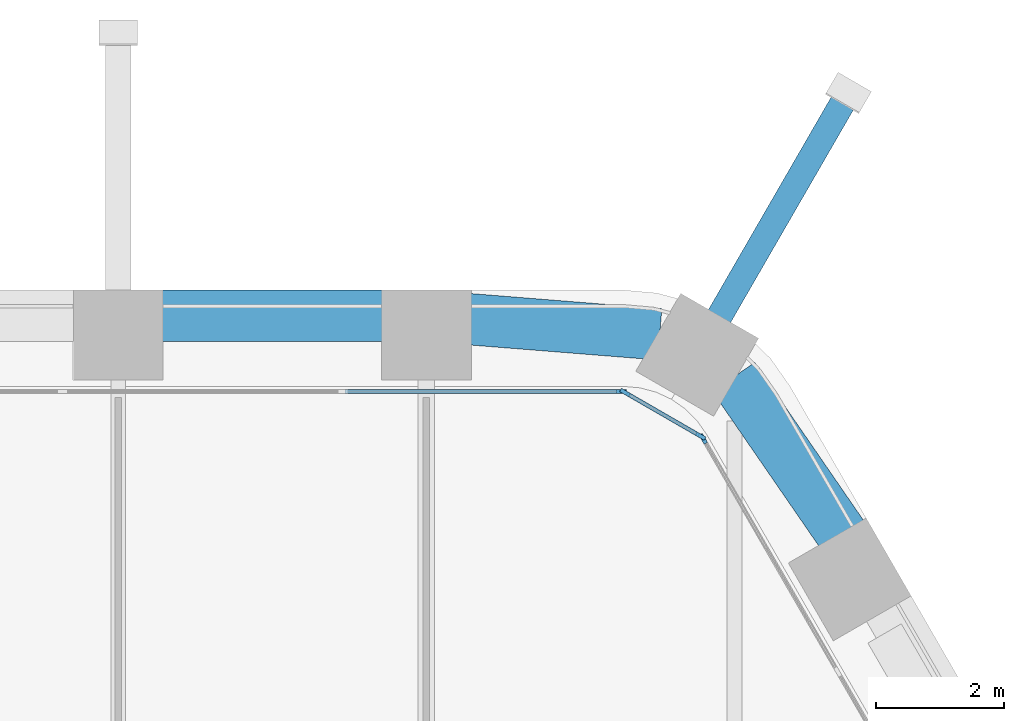
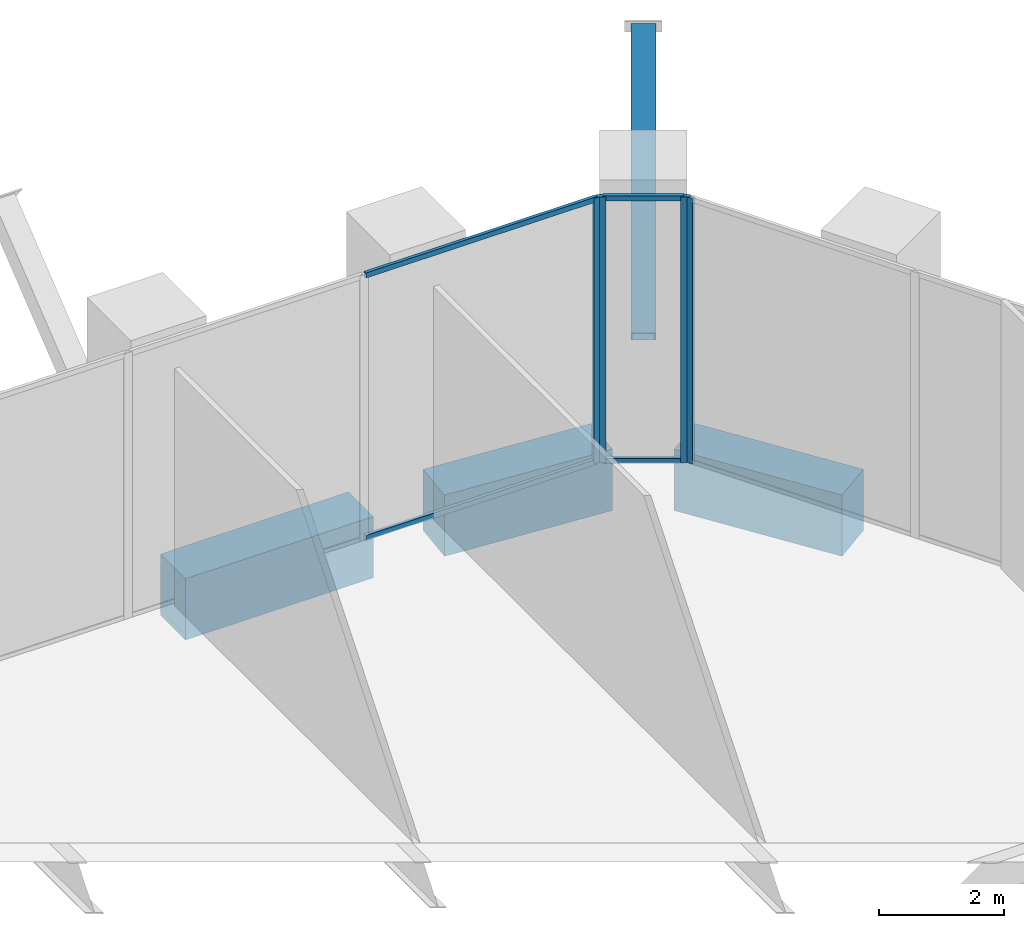
# One storey, part 14 of 29: 9 members, 3 beams, 3 elements without a shape of their own.
"""IFC4 building model written with IfcOpenShell, lengths in metres."""

from ifc_helpers import new_model, si_unit, direction, frame, origin, origin_2d, place, context, subcontext, project, spatial, rectangle, hollow_rectangle, extrude, material, material_profile, profile_set, type_object, element, aggregate, save


model = new_model("IFC4")

# Units and contexts
model_context = context("Model", 3, precision=1e-05, world=origin(), true_north=direction((0.0, 1.0)))
body_context = subcontext(model_context, "Body", "Model", "MODEL_VIEW")
ifc_project = project(units=[si_unit("LENGTHUNIT", "METRE"), si_unit("AREAUNIT", "SQUARE_METRE"), si_unit("VOLUMEUNIT", "CUBIC_METRE"), si_unit("PLANEANGLEUNIT", "RADIAN"), si_unit("MASSUNIT", "GRAM", prefix="KILO")], contexts=[model_context])

# Site, building, storey
site_placement = place(None, origin())
site = spatial("IfcSite", under=ifc_project, at=site_placement, CompositionType="ELEMENT")
building_placement = place(site_placement, origin())
building = spatial("IfcBuilding", under=site, at=building_placement, Name="Kolab Exchange Tower", CompositionType="ELEMENT")
storey_placement = place(building_placement, frame((0.0, 0.0, 33.39990234375)))
storey = spatial("IfcBuildingStorey", under=building, at=storey_placement, Name="L06", CompositionType="ELEMENT", Elevation=33.39990234375)

# Member
ifc_material_1 = material(Name="Steel S355", Category="steel")
ifc_material_profile_1 = material_profile(ifc_material_1, hollow_rectangle(XDim=0.39990234375, YDim=0.39990234375, WallThickness=0.02001953125, at=origin_2d()), Name="HSS400X400X20")
ifc_profile_set_1 = profile_set([ifc_material_profile_1], Name="Steel S355")
member_type_1 = type_object("IfcMemberType", Name="LEDGE STRUT HSS400X400X20", PredefinedType="STRUT", material=ifc_profile_set_1)
member_1_placement = place(storey_placement, frame((18.947998046875, 32.81884765625, 1.22802734375), z_axis=(0.39005913672, 0.675602790468, 0.625631472493), x_axis=(-0.866025579307, 0.499999695987, 0.0)))
element("IfcMember", 1, at=member_1_placement, inside=storey, type_object=member_type_1, Name="mem/L06/ledge/strut-4", PredefinedType="STRUT", context=body_context, shape_type="SweptSolid", body=[
    extrude(hollow_rectangle(XDim=0.39990234375, YDim=0.39990234375, WallThickness=0.02001953125, at=origin_2d()), origin(), (0.0, 0.0, 1.0), 5.1787109375),
])

# Beams
ifc_material_2 = material(Name="Concrete C80/95", Category="concrete")
ifc_material_profile_2 = material_profile(ifc_material_2, rectangle(XDim=0.800048828125, YDim=1.199951171875, at=origin_2d()), Name="RC800X1200")
ifc_profile_set_2 = profile_set([ifc_material_profile_2], Name="Concrete C80/95")
beam_type = type_object("IfcBeamType", Name="SPANDREL BEAM 800X1200 C80/95", PredefinedType="BEAM", material=ifc_profile_set_2)
beam_1_placement = place(storey_placement, frame((10.260009765625, 32.85546875, -0.849853515625), z_axis=(1.0, 0.0, 0.0), x_axis=(0.0, 1.0, 0.0)))
element("IfcBeam", 2, at=beam_1_placement, inside=storey, type_object=beam_type, Name="beam/L06/sp/F1-07", PredefinedType="BEAM", context=body_context, shape_type="SweptSolid", body=[
    extrude(rectangle(XDim=0.800048828125, YDim=1.199951171875, at=origin_2d()), origin(), (0.0, 0.0, 1.0), 3.47998046875),
])
beam_2_placement = place(storey_placement, frame((15.06005859375, 32.802734375, -0.849853515625), z_axis=(0.996833978278, -0.07951112973, 0.0), x_axis=(0.07951112973, 0.996833978278, 0.0)))
element("IfcBeam", 3, at=beam_2_placement, inside=storey, type_object=beam_type, Name="beam/L06/sp/F1-08", PredefinedType="BEAM", context=body_context, shape_type="SweptSolid", body=[
    extrude(rectangle(XDim=0.800048828125, YDim=1.199951171875, at=origin_2d()), origin(), (0.0, 0.0, 1.0), 2.984619140625),
])
beam_3_placement = place(storey_placement, frame((19.18505859375, 31.901611328125, -0.849853515625), z_axis=(0.567247290755, -0.823547516013, 0.0), x_axis=(0.823547516013, 0.567247290755, 0.0)))
element("IfcBeam", 4, at=beam_3_placement, inside=storey, type_object=beam_type, Name="beam/L06/sp/F2-01", PredefinedType="BEAM", context=body_context, shape_type="SweptSolid", body=[
    extrude(rectangle(XDim=0.800048828125, YDim=1.199951171875, at=origin_2d()), origin(), (0.0, 0.0, 1.0), 2.984375),
])

# Curtain wall, member
ifc_material_3 = material(Name="Aluminium EN AW-6063 T6", Category="aluminium")
curtain_wall_type = type_object("IfcCurtainWallType", Name="UNITISED LOW ZONE CURTAIN WALL", PredefinedType="NOTDEFINED", material=ifc_material_3)
curtain_wall_1_placement = place(storey_placement, origin())
curtain_wall_1 = element("IfcCurtainWall", 5, at=curtain_wall_1_placement, inside=storey, type_object=curtain_wall_type, Name="cw/L06/F1-2", PredefinedType="NOTDEFINED")
ifc_material_profile_3 = material_profile(ifc_material_3, rectangle(XDim=0.06005859375, YDim=0.159912109375, at=origin_2d()), Name="RECT 60X160")
ifc_profile_set_3 = profile_set([ifc_material_profile_3], Name="Aluminium EN AW-6063 T6")
member_type_2 = type_object("IfcMemberType", Name="UNITISED LOW ZONE MULLION 60 X 160", PredefinedType="MULLION", material=ifc_profile_set_3)
member_2_placement = place(storey_placement, frame((17.43798828125, 31.67529296875, 0.0), z_axis=(0.0, 0.0, 1.0), x_axis=(0.0, 1.0, 0.0)))
member_2 = element("IfcMember", 6, at=member_2_placement, type_object=member_type_2, Name="CW1 mullion 5", PredefinedType="MULLION", context=body_context, shape_type="SweptSolid", body=[
    extrude(rectangle(XDim=0.06005859375, YDim=0.159912109375, at=origin_2d()), origin(), (0.0, 0.0, 1.0), 5.2001953125),
])

curtain_wall_2_placement = place(storey_placement, origin())
curtain_wall_2 = element("IfcCurtainWall", 7, at=curtain_wall_2_placement, inside=storey, type_object=curtain_wall_type, Name="cw/L06/F2-1", PredefinedType="NOTDEFINED")
member_3_placement = place(storey_placement, frame((18.712646484375, 30.939453125, 0.0), z_axis=(0.0, 0.0, 1.0), x_axis=(0.866025393644, 0.500000017564, 0.0)))
member_3 = element("IfcMember", 8, at=member_3_placement, type_object=member_type_2, Name="CW1 mullion 1", PredefinedType="MULLION", context=body_context, shape_type="SweptSolid", body=[
    extrude(rectangle(XDim=0.06005859375, YDim=0.159912109375, at=origin_2d()), origin(), (0.0, 0.0, 1.0), 5.2001953125),
])
aggregate(curtain_wall_2, [member_3])

# Curtain wall, members
curtain_wall_3_placement = place(storey_placement, origin())
curtain_wall_3 = element("IfcCurtainWall", 9, at=curtain_wall_3_placement, inside=storey, type_object=curtain_wall_type, Name="cw/L06/F1F2-corner", PredefinedType="NOTDEFINED")
member_4_placement = place(storey_placement, frame((17.493896484375, 31.660400390625, 0.0), z_axis=(0.0, 0.0, 1.0), x_axis=(0.50000002237, 0.866025390869, 0.0)))
member_4 = element("IfcMember", 10, at=member_4_placement, type_object=member_type_2, Name="CW1 mullion 1", PredefinedType="MULLION", context=body_context, shape_type="SweptSolid", body=[
    extrude(rectangle(XDim=0.06005859375, YDim=0.159912109375, at=origin_2d()), origin(), (0.0, 0.0, 1.0), 5.2001953125),
])
member_5_placement = place(storey_placement, frame((18.671630859375, 30.98046875, 0.0), z_axis=(0.0, 0.0, 1.0), x_axis=(0.50000002237, 0.866025390869, 0.0)))
member_5 = element("IfcMember", 11, at=member_5_placement, type_object=member_type_2, Name="CW1 mullion 2", PredefinedType="MULLION", context=body_context, shape_type="SweptSolid", body=[
    extrude(rectangle(XDim=0.06005859375, YDim=0.159912109375, at=origin_2d()), origin(), (0.0, 0.0, 1.0), 5.2001953125),
])

# Member
ifc_material_profile_4 = material_profile(ifc_material_3, rectangle(XDim=0.06005859375, YDim=0.10009765625, at=origin_2d()), Name="RECT 60X100")
ifc_profile_set_4 = profile_set([ifc_material_profile_4], Name="Aluminium EN AW-6063 T6")
member_type_3 = type_object("IfcMemberType", Name="UNITISED LOW ZONE TRANSOM 60 X 100", PredefinedType="USERDEFINED", material=ifc_profile_set_4)
member_6_placement = place(storey_placement, frame((13.130859375, 31.67529296875, 0.030029296875), z_axis=(1.0, 0.0, 0.0), x_axis=(0.0, 1.0, 0.0)))
member_6 = element("IfcMember", 12, at=member_6_placement, type_object=member_type_3, Name="CW1 transom 4.1", ObjectType="TRANSOM", PredefinedType="USERDEFINED", context=body_context, shape_type="SweptSolid", body=[
    extrude(rectangle(XDim=0.06005859375, YDim=0.10009765625, at=origin_2d()), origin(), (0.0, 0.0, 1.0), 4.277099609375),
])

member_7_placement = place(storey_placement, frame((13.130859375, 31.67529296875, 5.170166015625), z_axis=(1.0, 0.0, 0.0), x_axis=(0.0, 1.0, 0.0)))
member_7 = element("IfcMember", 13, at=member_7_placement, type_object=member_type_3, Name="CW1 transom 4.2", ObjectType="TRANSOM", PredefinedType="USERDEFINED", context=body_context, shape_type="SweptSolid", body=[
    extrude(rectangle(XDim=0.06005859375, YDim=0.10009765625, at=origin_2d()), origin(), (0.0, 0.0, 1.0), 4.277099609375),
])

aggregate(curtain_wall_1, [member_2, member_6, member_7])

member_8_placement = place(storey_placement, frame((17.52001953125, 31.645263671875, 0.030029296875), z_axis=(0.86603858612, -0.49997716683, 0.0), x_axis=(0.49997716683, 0.86603858612, 0.0)))
member_8 = element("IfcMember", 14, at=member_8_placement, type_object=member_type_3, Name="CW1 transom 1.1", ObjectType="TRANSOM", PredefinedType="USERDEFINED", context=body_context, shape_type="SweptSolid", body=[
    extrude(rectangle(XDim=0.06005859375, YDim=0.10009765625, at=origin_2d()), origin(), (0.0, 0.0, 1.0), 1.2998046875),
])

member_9_placement = place(storey_placement, frame((17.52001953125, 31.645263671875, 5.170166015625), z_axis=(0.86603858612, -0.49997716683, 0.0), x_axis=(0.49997716683, 0.86603858612, 0.0)))
member_9 = element("IfcMember", 15, at=member_9_placement, type_object=member_type_3, Name="CW1 transom 1.2", ObjectType="TRANSOM", PredefinedType="USERDEFINED", context=body_context, shape_type="SweptSolid", body=[
    extrude(rectangle(XDim=0.06005859375, YDim=0.10009765625, at=origin_2d()), origin(), (0.0, 0.0, 1.0), 1.2998046875),
])

aggregate(curtain_wall_3, [member_4, member_5, member_8, member_9])

save(model, "model.ifc")
